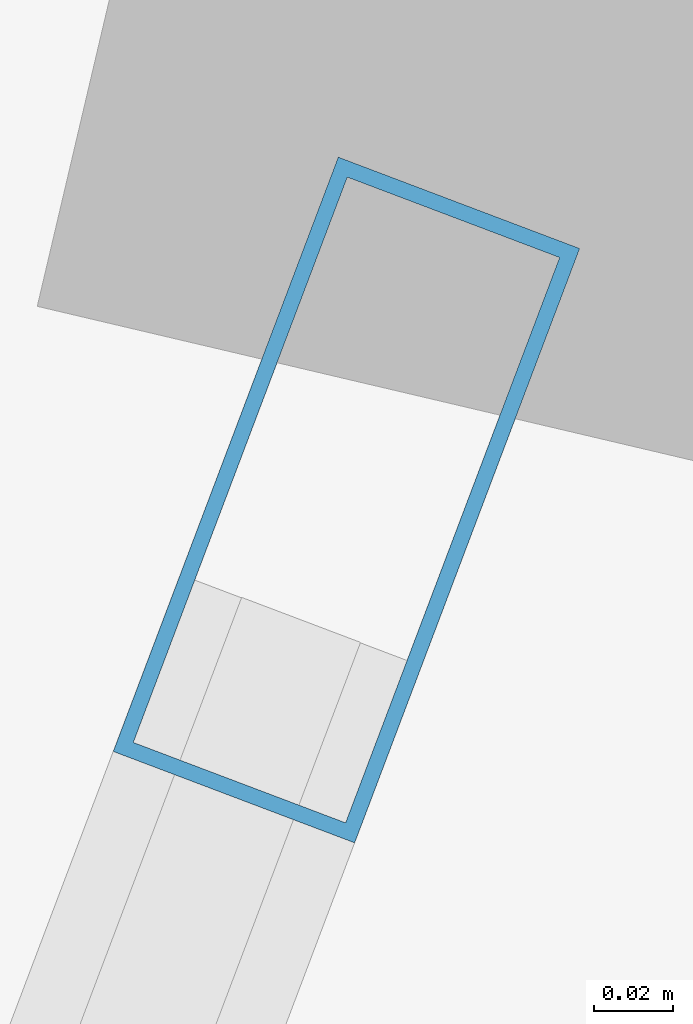
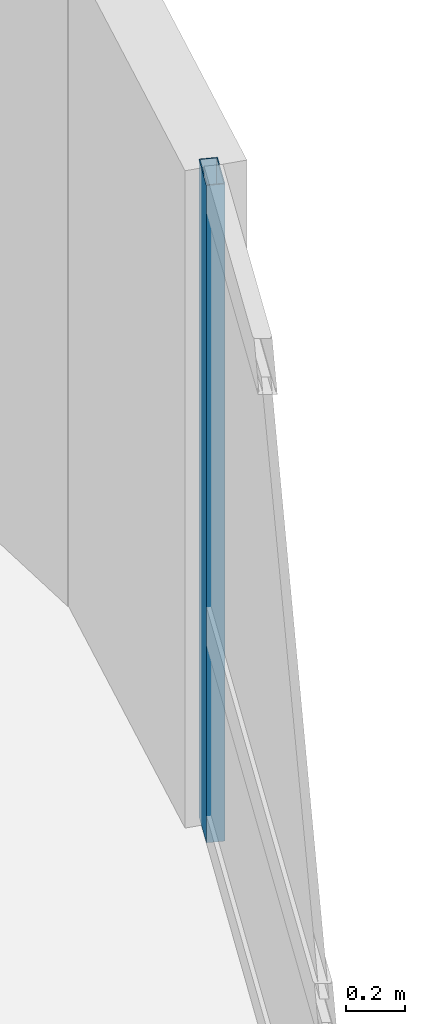
# One storey, part 16 of 25: 1 member, 1 element without a shape of its own.
"""IFC4 building model written with IfcOpenShell, lengths in metres."""

from ifc_helpers import new_model, si_unit, direction, frame, origin, origin_2d, place, context, subcontext, project, spatial, hollow_rectangle, extrude, material, layer, layer_set, material_profile, profile_set, type_object, element, aggregate, save


model = new_model("IFC4")

# Units and contexts
model_context = context("Model", 3, precision=1e-05, world=origin(), true_north=direction((0.0, 1.0)))
body_context = subcontext(model_context, "Body", "Model", "MODEL_VIEW")
ifc_project = project(units=[si_unit("LENGTHUNIT", "METRE"), si_unit("AREAUNIT", "SQUARE_METRE"), si_unit("VOLUMEUNIT", "CUBIC_METRE"), si_unit("PLANEANGLEUNIT", "RADIAN"), si_unit("MASSUNIT", "GRAM", prefix="KILO")], contexts=[model_context])

# Site, building, storey
site_placement = place(None, origin())
site = spatial("IfcSite", under=ifc_project, at=site_placement, CompositionType="ELEMENT")
building_placement = place(site_placement, origin())
building = spatial("IfcBuilding", under=site, at=building_placement, Name="Varnelok Gate Tower", CompositionType="ELEMENT")
storey_placement = place(building_placement, frame((0.0, 0.0, 76.199951171875)))
storey = spatial("IfcBuildingStorey", under=building, at=storey_placement, Name="L18", CompositionType="ELEMENT", Elevation=76.199951171875)

# Curtain wall, member
ifc_material = material(Name="Anodized Aluminum Alloy 6063-T6", Category="aluminium")
ifc_layer = layer(ifc_material, 0.179931640625)
ifc_layer_set = layer_set([ifc_layer], Name="Anodized Aluminum Alloy 6063-T6")
curtain_wall_type = type_object("IfcCurtainWallType", Name="CW3-HOTEL-VISION", PredefinedType="USERDEFINED", material=ifc_layer_set)
curtain_wall_placement = place(storey_placement, origin())
curtain_wall = element("IfcCurtainWall", 1, at=curtain_wall_placement, inside=storey, type_object=curtain_wall_type, Name="L18 East End Vision Curtain Wall", ObjectType="UNITISED CURTAIN WALL", PredefinedType="USERDEFINED")
ifc_material_profile = material_profile(ifc_material, hollow_rectangle(XDim=0.06494140625, YDim=0.159912109375, WallThickness=0.00390625, at=origin_2d()), Name="ALU160X65X4")
ifc_profile_set = profile_set([ifc_material_profile], Name="Anodized Aluminum Alloy 6063-T6")
member_type = type_object("IfcMemberType", Name="CW-MULL-160", PredefinedType="MULLION", material=ifc_profile_set)
member_placement = place(storey_placement, frame((80.443359375, 29.004638671875, 0.0), z_axis=(0.0, 0.0, 1.0), x_axis=(0.935221323688, -0.354063660545, 0.0)))
member = element("IfcMember", 2, at=member_placement, type_object=member_type, Name="CW3 mullion 1", PredefinedType="MULLION", context=body_context, shape_type="SweptSolid", body=[
    extrude(hollow_rectangle(XDim=0.06494140625, YDim=0.159912109375, WallThickness=0.00390625, at=origin_2d()), origin(), (0.0, 0.0, 1.0), 2.72998046875),
])
aggregate(curtain_wall, [member])

save(model, "model.ifc")
